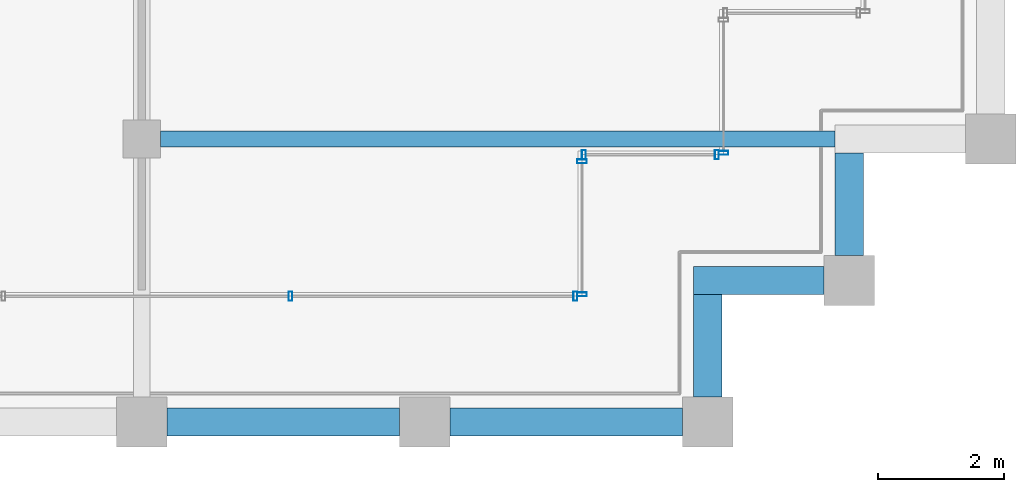
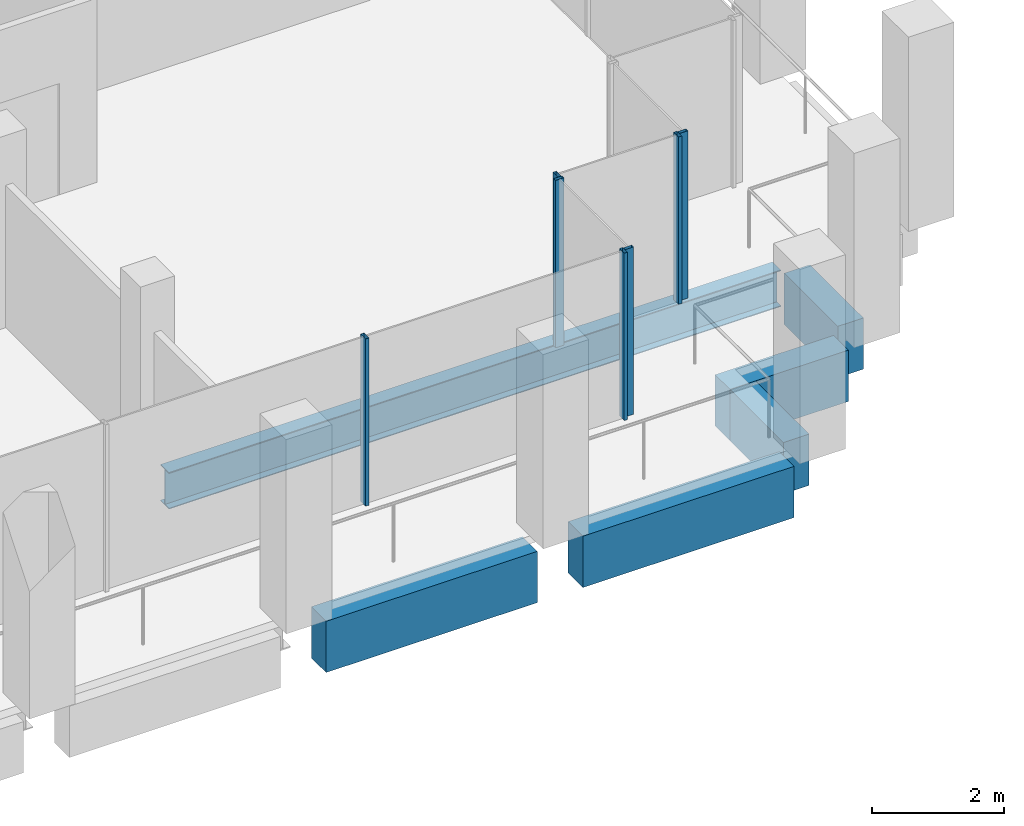
# One storey, part 12 of 40: 7 members, 6 beams, 4 elements without a shape of their own.
"""IFC4 building model written with IfcOpenShell, lengths in metres."""

from ifc_helpers import new_model, si_unit, direction, frame, origin, origin_2d, place, context, subcontext, project, spatial, rectangle, hollow_rectangle, i_section, extrude, material, material_profile, profile_set, type_object, element, aggregate, save


model = new_model("IFC4")

# Units and contexts
model_context = context("Model", 3, precision=1e-05, world=origin(), true_north=direction((0.0, 1.0)))
body_context = subcontext(model_context, "Body", "Model", "MODEL_VIEW")
ifc_project = project(units=[si_unit("LENGTHUNIT", "METRE"), si_unit("AREAUNIT", "SQUARE_METRE"), si_unit("VOLUMEUNIT", "CUBIC_METRE"), si_unit("PLANEANGLEUNIT", "RADIAN"), si_unit("MASSUNIT", "GRAM", prefix="KILO")], contexts=[model_context])

# Site, building, storey
site_placement = place(None, origin())
site = spatial("IfcSite", under=ifc_project, at=site_placement, CompositionType="ELEMENT")
building_placement = place(site_placement, origin())
building = spatial("IfcBuilding", under=site, at=building_placement, Name="Altepetl Exchange Towers", CompositionType="ELEMENT")
storey_placement = place(building_placement, frame((0.0, 0.0, 202.800048828125)))
storey = spatial("IfcBuildingStorey", under=building, at=storey_placement, Name="L51", CompositionType="ELEMENT", Elevation=202.800048828125)

# Beam
ifc_material_1 = material(Name="Steel S355", Category="steel")
ifc_material_profile_1 = material_profile(ifc_material_1, i_section(OverallWidth=0.2529296875, OverallDepth=0.677978515625, WebThickness=0.01171875, FlangeThickness=0.016357421875, at=origin_2d()), Name="W27X84")
ifc_profile_set_1 = profile_set([ifc_material_profile_1], Name="Steel S355")
beam_type_1 = type_object("IfcBeamType", Name="Floor beam W27X84", PredefinedType="BEAM", material=ifc_profile_set_1)
beam_1_placement = place(storey_placement, frame((58.800048828125, 31.5, -0.489013671875), z_axis=(1.0, 0.0, 0.0), x_axis=(0.0, 1.0, 0.0)))
element("IfcBeam", 1, at=beam_1_placement, inside=storey, type_object=beam_type_1, Name="bm:A:L51:006", PredefinedType="BEAM", context=body_context, shape_type="SweptSolid", body=[
    extrude(i_section(OverallWidth=0.2529296875, OverallDepth=0.677978515625, WebThickness=0.01171875, FlangeThickness=0.016357421875, at=origin_2d()), origin(), (0.0, 0.0, 1.0), 10.724853515625),
])

# Curtain wall, members
ifc_material_2 = material(Name="Aluminium 6063-T6 glazing", Category="aluminium")
curtain_wall_type = type_object("IfcCurtainWallType", Name="Loggia glazing system", PredefinedType="NOTDEFINED", material=ifc_material_2)
curtain_wall_1_placement = place(storey_placement, origin())
curtain_wall_1 = element("IfcCurtainWall", 2, at=curtain_wall_1_placement, inside=storey, type_object=curtain_wall_type, Name="CW1 run", PredefinedType="NOTDEFINED")
ifc_material_3 = material(Name="Aluminium 6063-T6", Category="aluminium")
ifc_material_profile_2 = material_profile(ifc_material_3, hollow_rectangle(XDim=0.06005859375, YDim=0.14990234375, WallThickness=0.0029296875, at=origin_2d()), Name="Mullion 60x150 aluminium")
ifc_profile_set_2 = profile_set([ifc_material_profile_2], Name="Aluminium 6063-T6")
member_type = type_object("IfcMemberType", Name="Mullion 60x150 aluminium", PredefinedType="MULLION", material=ifc_profile_set_2)
member_1_placement = place(storey_placement, frame((60.8642578125, 29.0, 0.0)))
member_1 = element("IfcMember", 3, at=member_1_placement, type_object=member_type, Name="MU1 mullion", PredefinedType="MULLION", context=body_context, shape_type="SweptSolid", body=[
    extrude(hollow_rectangle(XDim=0.06005859375, YDim=0.14990234375, WallThickness=0.0029296875, at=origin_2d()), origin(), (0.0, 0.0, 1.0), 3.099853515625),
])
member_2_placement = place(storey_placement, frame((65.39501953125, 29.0, 0.0)))
member_2 = element("IfcMember", 4, at=member_2_placement, type_object=member_type, Name="MU1 mullion", PredefinedType="MULLION", context=body_context, shape_type="SweptSolid", body=[
    extrude(hollow_rectangle(XDim=0.06005859375, YDim=0.14990234375, WallThickness=0.0029296875, at=origin_2d()), origin(), (0.0, 0.0, 1.0), 3.099853515625),
])
aggregate(curtain_wall_1, [member_1, member_2])

curtain_wall_2_placement = place(storey_placement, origin())
curtain_wall_2 = element("IfcCurtainWall", 5, at=curtain_wall_2_placement, inside=storey, type_object=curtain_wall_type, Name="CW1 run", PredefinedType="NOTDEFINED")
member_3_placement = place(storey_placement, frame((65.5, 29.030029296875, 0.0), z_axis=(0.0, 0.0, 1.0), x_axis=(0.0, 1.0, 0.0)))
member_3 = element("IfcMember", 6, at=member_3_placement, type_object=member_type, Name="MU1 mullion", PredefinedType="MULLION", context=body_context, shape_type="SweptSolid", body=[
    extrude(hollow_rectangle(XDim=0.06005859375, YDim=0.14990234375, WallThickness=0.0029296875, at=origin_2d()), origin(), (0.0, 0.0, 1.0), 3.099853515625),
])
member_4_placement = place(storey_placement, frame((65.5, 31.14501953125, 0.0), z_axis=(0.0, 0.0, 1.0), x_axis=(0.0, 1.0, 0.0)))
member_4 = element("IfcMember", 7, at=member_4_placement, type_object=member_type, Name="MU1 mullion", PredefinedType="MULLION", context=body_context, shape_type="SweptSolid", body=[
    extrude(hollow_rectangle(XDim=0.06005859375, YDim=0.14990234375, WallThickness=0.0029296875, at=origin_2d()), origin(), (0.0, 0.0, 1.0), 3.099853515625),
])
aggregate(curtain_wall_2, [member_3, member_4])

curtain_wall_3_placement = place(storey_placement, origin())
curtain_wall_3 = element("IfcCurtainWall", 8, at=curtain_wall_3_placement, inside=storey, type_object=curtain_wall_type, Name="CW1 run", PredefinedType="NOTDEFINED")
member_5_placement = place(storey_placement, frame((65.530029296875, 31.25, 0.0)))
member_5 = element("IfcMember", 9, at=member_5_placement, type_object=member_type, Name="MU1 mullion", PredefinedType="MULLION", context=body_context, shape_type="SweptSolid", body=[
    extrude(hollow_rectangle(XDim=0.06005859375, YDim=0.14990234375, WallThickness=0.0029296875, at=origin_2d()), origin(), (0.0, 0.0, 1.0), 3.099853515625),
])
member_6_placement = place(storey_placement, frame((67.64501953125, 31.25, 0.0)))
member_6 = element("IfcMember", 10, at=member_6_placement, type_object=member_type, Name="MU1 mullion", PredefinedType="MULLION", context=body_context, shape_type="SweptSolid", body=[
    extrude(hollow_rectangle(XDim=0.06005859375, YDim=0.14990234375, WallThickness=0.0029296875, at=origin_2d()), origin(), (0.0, 0.0, 1.0), 3.099853515625),
])
aggregate(curtain_wall_3, [member_5, member_6])

# Curtain wall, member
curtain_wall_4_placement = place(storey_placement, origin())
curtain_wall_4 = element("IfcCurtainWall", 11, at=curtain_wall_4_placement, inside=storey, type_object=curtain_wall_type, Name="CW1 run", PredefinedType="NOTDEFINED")
member_7_placement = place(storey_placement, frame((67.75, 31.280029296875, 0.0), z_axis=(0.0, 0.0, 1.0), x_axis=(0.0, 1.0, 0.0)))
member_7 = element("IfcMember", 12, at=member_7_placement, type_object=member_type, Name="MU1 mullion", PredefinedType="MULLION", context=body_context, shape_type="SweptSolid", body=[
    extrude(hollow_rectangle(XDim=0.06005859375, YDim=0.14990234375, WallThickness=0.0029296875, at=origin_2d()), origin(), (0.0, 0.0, 1.0), 3.099853515625),
])
aggregate(curtain_wall_4, [member_7])

# Beams
ifc_material_4 = material(Name="Concrete C50/60 precast with cantera amarilla facing", Category="concrete")
ifc_material_profile_3 = material_profile(ifc_material_4, rectangle(XDim=0.449951171875, YDim=0.949951171875, at=origin_2d()), Name="450 x 950")
ifc_profile_set_3 = profile_set([ifc_material_profile_3], Name="Concrete C50/60 precast with cantera amarilla facing")
beam_type_2 = type_object("IfcBeamType", Name="Spandrel beam 450x950 cantera amarilla", PredefinedType="SPANDREL", material=ifc_profile_set_3)
for number, where, z_axis, x_axis, name in (
    (13, (58.89990234375, 27.0, -0.625), (1.0, 0.0, 0.0), (0.0, 1.0, 0.0), "sp:A:L51:006"),
    (14, (63.39990234375, 27.0, -0.625), (1.0, 0.0, 0.0), (0.0, 1.0, 0.0), "sp:A:L51:007"),
):
    element("IfcBeam", number, at=place(storey_placement, frame(where, z_axis=z_axis, x_axis=x_axis)), inside=storey, type_object=beam_type_2, Name=name, PredefinedType="SPANDREL", context=body_context, shape_type="SweptSolid", body=[
        extrude(rectangle(XDim=0.449951171875, YDim=0.949951171875, at=origin_2d()), origin(), (0.0, 0.0, 1.0), 3.7001953125),
    ])
beam_2_placement = place(storey_placement, frame((67.5, 27.39990234375, -0.625), z_axis=(0.0, 1.0, 0.0), x_axis=(-1.0, 0.0, 0.0)))
element("IfcBeam", 15, at=beam_2_placement, inside=storey, type_object=beam_type_2, Name="sp:A:L51:008", PredefinedType="SPANDREL", context=body_context, shape_type="SweptSolid", body=[
    extrude(rectangle(XDim=0.449951171875, YDim=0.949951171875, at=origin_2d()), origin(), (0.0, 0.0, 1.0), 1.625),
])
beam_3_placement = place(storey_placement, frame((67.27490234375, 29.25, -0.625), z_axis=(1.0, 0.0, 0.0), x_axis=(0.0, 1.0, 0.0)))
element("IfcBeam", 16, at=beam_3_placement, inside=storey, type_object=beam_type_2, Name="sp:A:L51:009", PredefinedType="SPANDREL", context=body_context, shape_type="SweptSolid", body=[
    extrude(rectangle(XDim=0.449951171875, YDim=0.949951171875, at=origin_2d()), origin(), (0.0, 0.0, 1.0), 2.0751953125),
])
beam_4_placement = place(storey_placement, frame((69.75, 29.64990234375, -0.625), z_axis=(0.0, 1.0, 0.0), x_axis=(-1.0, 0.0, 0.0)))
element("IfcBeam", 17, at=beam_4_placement, inside=storey, type_object=beam_type_2, Name="sp:A:L51:010", PredefinedType="SPANDREL", context=body_context, shape_type="SweptSolid", body=[
    extrude(rectangle(XDim=0.449951171875, YDim=0.949951171875, at=origin_2d()), origin(), (0.0, 0.0, 1.0), 1.625),
])

save(model, "model.ifc")
